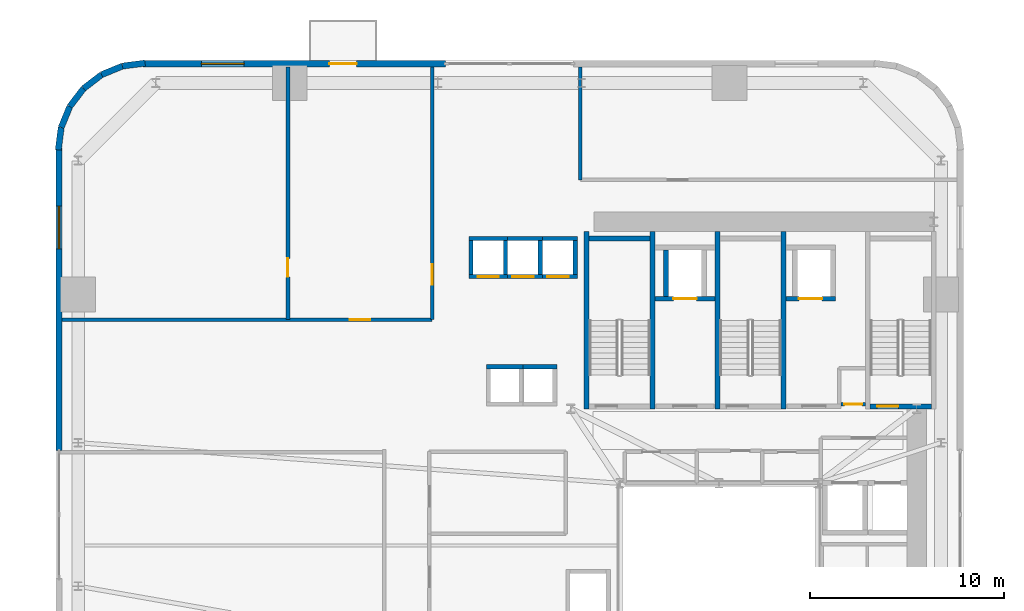
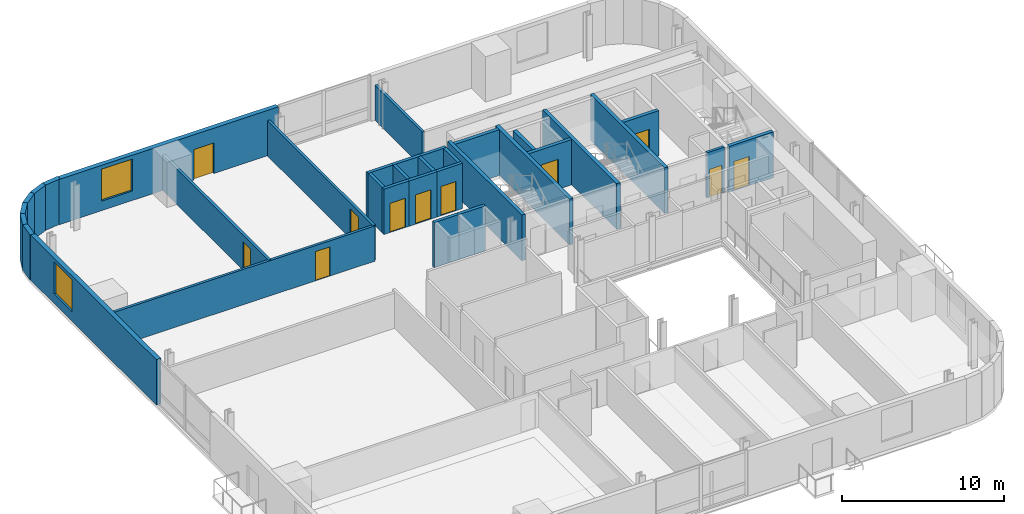
# One storey, part 8 of 13: 34 walls, 11 doors, 2 windows, 13 openings.
"""IFC4 building model written with IfcOpenShell, lengths in metres."""

from ifc_helpers import new_model, si_unit, direction, frame, frame_2d, origin, place, context, subcontext, project, spatial, rectangle, extrude, source, transform, mapped, material, layer, layer_set, type_object, element, fill, save


model = new_model("IFC4")

# Units and contexts
model_context = context("Model", 3, precision=1e-05, world=origin(), true_north=direction((0.0, 1.0)))
body_context = subcontext(model_context, "Body", "Model", "MODEL_VIEW")
ifc_project = project(units=[si_unit("LENGTHUNIT", "METRE"), si_unit("AREAUNIT", "SQUARE_METRE"), si_unit("VOLUMEUNIT", "CUBIC_METRE"), si_unit("PLANEANGLEUNIT", "RADIAN"), si_unit("MASSUNIT", "GRAM", prefix="KILO")], contexts=[model_context])

# Site, building, storey
site_placement = place(None, origin())
site = spatial("IfcSite", under=ifc_project, at=site_placement, CompositionType="ELEMENT")
building_placement = place(site_placement, origin())
building = spatial("IfcBuilding", under=site, at=building_placement, Name="Vardaveli Station Tower", CompositionType="ELEMENT")
storey_placement = place(building_placement, frame((0.0, 0.0, 45.85009765625)))
storey = spatial("IfcBuildingStorey", under=building, at=storey_placement, Name="L11", CompositionType="ELEMENT", Elevation=45.85009765625)

# Wall, openings, door, window
ifc_material_1 = material(Name="Precast concrete C45/55", Category="concrete")
ifc_layer_1 = layer(ifc_material_1, 0.320068359375, Name="Precast concrete C45/55")
ifc_layer_set_1 = layer_set([ifc_layer_1], Name="Precast concrete C45/55")
wall_type_1 = type_object("IfcWallType", Name="WAL-EXT-STONE-320", PredefinedType="SOLIDWALL", material=ifc_layer_set_1)
shared_shape_1 = source(origin(), body_context, "Body", "SweptSolid", [
    extrude(rectangle(XDim=15.599853515625, YDim=0.320068359375, at=frame_2d((7.7998046875, 0.0))), origin(), (0.0, 0.0, 1.0), 3.409912109375),
])
wall_1_placement = place(storey_placement, frame((22.199951171875, 48.43994140625, 0.0), z_axis=(0.0, 0.0, 1.0), x_axis=(-1.0, 0.0, 0.0)))
wall_1 = element("IfcWall", 1, at=wall_1_placement, inside=storey, type_object=wall_type_1, Name="EW-L11-N2", PredefinedType="SOLIDWALL", context=body_context, shape_type="MappedRepresentation", body=[
    mapped(shared_shape_1, transform((0.0, 0.0, 0.0), scale=1.0)),
])
shared_shape_2 = source(origin(), body_context, "Body", "SweptSolid", [
    extrude(rectangle(XDim=1.39990234375, YDim=2.300048828125, at=frame_2d((0.699951171875, 1.14990234375))), frame((0.0, 0.169921875, 0.0), z_axis=(0.0, -1.0, 0.0), x_axis=(1.0, 0.0, 0.0)), (0.0, 0.0, 1.0), 0.340087890625),
])
opening_1_placement = place(wall_1_placement, frame((4.589599609375, 0.0, 0.0)))
opening_1 = element("IfcOpeningElement", 2, at=opening_1_placement, cuts=wall_1, Name="Opening D-09", PredefinedType="OPENING", context=body_context, shape_type="MappedRepresentation", body=[
    mapped(shared_shape_2, transform((0.0, 0.0, 0.0), scale=1.0)),
])
shared_shape_3 = source(origin(), body_context, "Body", "SweptSolid", [
    extrude(rectangle(XDim=2.199951171875, YDim=2.39990234375, at=frame_2d((1.10009765625, 1.199951171875))), frame((0.0, 0.169921875, 0.0), z_axis=(0.0, -1.0, 0.0), x_axis=(1.0, 0.0, 0.0)), (0.0, 0.0, 1.0), 0.340087890625),
])
opening_2_placement = place(wall_1_placement, frame((10.39501953125, 0.0, 0.719970703125)))
opening_2 = element("IfcOpeningElement", 3, at=opening_2_placement, cuts=wall_1, Name="Opening W-03", PredefinedType="OPENING", context=body_context, shape_type="MappedRepresentation", body=[
    mapped(shared_shape_3, transform((0.0, 0.0, 0.0), scale=1.0)),
])
ifc_material_2 = material(Name="Thermally broken aluminium glass", Category="aluminium")
door_type_1 = type_object("IfcDoorType", Name="DR-LOG-1400x2300", OperationType="DOUBLE_DOOR_SLIDING", PredefinedType="DOOR", material=ifc_material_2)
shared_shape_4 = source(origin(), body_context, "Body", "SweptSolid", [
    extrude(rectangle(XDim=1.39990234375, YDim=2.300048828125, at=frame_2d((0.699951171875, 1.14990234375))), frame((0.0, 0.02490234375, 0.0), z_axis=(0.0, -1.0, 0.0), x_axis=(1.0, 0.0, 0.0)), (0.0, 0.0, 1.0), 0.050048828125),
])
door_1_placement = place(opening_1_placement, frame((1.39990234375, 0.0, 0.0), z_axis=(0.0, 0.0, 1.0), x_axis=(-1.0, 0.0, 0.0)))
door_1 = element("IfcDoor", 4, at=door_1_placement, inside=storey, type_object=door_type_1, Name="DLG-L11-N", OperationType="DOUBLE_DOOR_SLIDING", OverallHeight=2.300048828125, OverallWidth=1.39990234375, PredefinedType="DOOR", context=body_context, shape_type="MappedRepresentation", body=[
    mapped(shared_shape_4, transform((0.0, 0.0, 0.0), scale=1.0)),
])
fill(opening_1, door_1)
ifc_material_3 = material(Name="Low-E solar-control glass", Category="glass")
window_type = type_object("IfcWindowType", Name="WIN-LOG-2200x2400", PartitioningType="SINGLE_PANEL", PredefinedType="WINDOW", material=ifc_material_3)
shared_shape_5 = source(origin(), body_context, "Body", "SweptSolid", [
    extrude(rectangle(XDim=2.199951171875, YDim=2.39990234375, at=frame_2d((1.10009765625, 1.199951171875))), frame((0.0, 0.030029296875, 0.0), z_axis=(0.0, -1.0, 0.0), x_axis=(1.0, 0.0, 0.0)), (0.0, 0.0, 1.0), 0.06005859375),
])
window_1_placement = place(opening_2_placement, origin())
window_1 = element("IfcWindow", 5, at=window_1_placement, inside=storey, type_object=window_type, Name="WN-L11-N2", OverallHeight=2.39990234375, OverallWidth=2.199951171875, PartitioningType="SINGLE_PANEL", PredefinedType="WINDOW", context=body_context, shape_type="MappedRepresentation", body=[
    mapped(shared_shape_5, transform((0.0, 0.0, 0.0), scale=1.0)),
])
fill(opening_2, window_1)

# Wall, opening, window
shared_shape_6 = source(origin(), body_context, "Body", "SweptSolid", [
    extrude(rectangle(XDim=15.60009765625, YDim=0.320068359375, at=frame_2d((7.800048828125, 0.0))), origin(), (0.0, 0.0, 1.0), 3.409912109375),
])
wall_2_placement = place(storey_placement, frame((2.260009765625, 44.10009765625, 0.0), z_axis=(0.0, 0.0, 1.0), x_axis=(0.0, -1.0, 0.0)))
wall_2 = element("IfcWall", 6, at=wall_2_placement, inside=storey, type_object=wall_type_1, Name="EW-L11-W1", PredefinedType="SOLIDWALL", context=body_context, shape_type="MappedRepresentation", body=[
    mapped(shared_shape_6, transform((0.0, 0.0, 0.0), scale=1.0)),
])
opening_3_placement = place(wall_2_placement, frame((3.0048828125, 0.0, 0.719970703125)))
opening_3 = element("IfcOpeningElement", 7, at=opening_3_placement, cuts=wall_2, Name="Opening W-03", PredefinedType="OPENING", context=body_context, shape_type="MappedRepresentation", body=[
    mapped(shared_shape_3, transform((0.0, 0.0, 0.0), scale=1.0)),
])
window_2_placement = place(opening_3_placement, origin())
window_2 = element("IfcWindow", 8, at=window_2_placement, inside=storey, type_object=window_type, Name="WN-L11-W1", OverallHeight=2.39990234375, OverallWidth=2.199951171875, PartitioningType="SINGLE_PANEL", PredefinedType="WINDOW", context=body_context, shape_type="MappedRepresentation", body=[
    mapped(shared_shape_5, transform((0.0, 0.0, 0.0), scale=1.0)),
])
fill(opening_3, window_2)

# Walls
shared_shape_7 = source(origin(), body_context, "Body", "SweptSolid", [
    extrude(rectangle(XDim=1.1689453125, YDim=0.320068359375, at=frame_2d((0.58447265625, 0.0))), origin(), (0.0, 0.0, 1.0), 3.409912109375),
])
wall_3_placement = place(storey_placement, frame((3.53125, 47.1689453125, 0.0), z_axis=(0.0, 0.0, 1.0), x_axis=(-0.608387696831, -0.793639975269, 0.0)))
element("IfcWall", 9, at=wall_3_placement, inside=storey, type_object=wall_type_1, Name="EW-L11-CR4-4", PredefinedType="SOLIDWALL", context=body_context, shape_type="MappedRepresentation", body=[
    mapped(shared_shape_7, transform((0.0, 0.0, 0.0), scale=1.0)),
])
shared_shape_8 = source(origin(), body_context, "Body", "SweptSolid", [
    extrude(rectangle(XDim=1.168701171875, YDim=0.320068359375, at=frame_2d((0.58447265625, 0.0))), origin(), (0.0, 0.0, 1.0), 3.409912109375),
])
wall_4_placement = place(storey_placement, frame((4.458740234375, 47.8798828125, 0.0), z_axis=(0.0, 0.0, 1.0), x_axis=(-0.793663520347, -0.608356981114, 0.0)))
element("IfcWall", 10, at=wall_4_placement, inside=storey, type_object=wall_type_1, Name="EW-L11-CR4-3", PredefinedType="SOLIDWALL", context=body_context, shape_type="MappedRepresentation", body=[
    mapped(shared_shape_8, transform((0.0, 0.0, 0.0), scale=1.0)),
])
shared_shape_9 = source(origin(), body_context, "Body", "SweptSolid", [
    extrude(rectangle(XDim=1.17041015625, YDim=0.320068359375, at=frame_2d((0.585205078125, 0.0))), origin(), (0.0, 0.0, 1.0), 3.409912109375),
])
for number, where, z_axis, x_axis, name in (
    (11, (6.700439453125, 48.4755859375, 0.0), (0.0, 0.0, 1.0), (-0.991735963317, -0.128295670475, 0.0), "EW-L11-CR4-1"),
    (12, (2.37451171875, 45.16015625, 0.0), (0.0, 0.0, 1.0), (-0.128295670475, -0.991735963317, 0.0), "EW-L11-CR4-6"),
):
    element("IfcWall", number, at=place(storey_placement, frame(where, z_axis=z_axis, x_axis=x_axis)), inside=storey, type_object=wall_type_1, Name=name, PredefinedType="SOLIDWALL", context=body_context, shape_type="MappedRepresentation", body=[
        mapped(shared_shape_9, transform((0.0, 0.0, 0.0), scale=1.0)),
    ])
shared_shape_10 = source(origin(), body_context, "Body", "SweptSolid", [
    extrude(rectangle(XDim=1.169189453125, YDim=0.320068359375, at=frame_2d((0.58447265625, 0.0))), origin(), (0.0, 0.0, 1.0), 3.409912109375),
])
for number, where, z_axis, x_axis, name in (
    (13, (5.539794921875, 48.325439453125, 0.0), (0.0, 0.0, 1.0), (-0.924552646638, -0.381054331552, 0.0), "EW-L11-CR4-2"),
    (14, (2.820068359375, 46.2412109375, 0.0), (0.0, 0.0, 1.0), (-0.381054331552, -0.924552646638, 0.0), "EW-L11-CR4-5"),
):
    element("IfcWall", number, at=place(storey_placement, frame(where, z_axis=z_axis, x_axis=x_axis)), inside=storey, type_object=wall_type_1, Name=name, PredefinedType="SOLIDWALL", context=body_context, shape_type="MappedRepresentation", body=[
        mapped(shared_shape_10, transform((0.0, 0.0, 0.0), scale=1.0)),
    ])
ifc_material_4 = material(Name="Concrete C40/50", Category="concrete")
ifc_layer_2 = layer(ifc_material_4, 0.25, Name="Concrete C40/50")
ifc_layer_set_2 = layer_set([ifc_layer_2], Name="Concrete C40/50")
wall_type_2 = type_object("IfcWallType", Name="WAL-SHAFT-250", PredefinedType="SOLIDWALL", material=ifc_layer_set_2)
shared_shape_11 = source(origin(), body_context, "Body", "SweptSolid", [
    extrude(rectangle(XDim=9.150146484375, YDim=0.25, at=frame_2d((4.5751953125, 0.0))), origin(), (0.0, 0.0, 1.0), 3.449951171875),
])
for number, where, z_axis, x_axis, name in (
    (15, (29.47509765625, 30.64990234375, 0.0), (0.0, 0.0, 1.0), (0.0, 1.0, 0.0), "W-L11-ST-1W"),
    (16, (32.875, 30.64990234375, 0.0), (0.0, 0.0, 1.0), (0.0, 1.0, 0.0), "W-L11-ST-1E"),
    (17, (36.22509765625, 30.64990234375, 0.0), (0.0, 0.0, 1.0), (0.0, 1.0, 0.0), "W-L11-ST-2W"),
    (18, (39.625, 30.64990234375, 0.0), (0.0, 0.0, 1.0), (0.0, 1.0, 0.0), "W-L11-ST-2E"),
):
    element("IfcWall", number, at=place(storey_placement, frame(where, z_axis=z_axis, x_axis=x_axis)), inside=storey, type_object=wall_type_2, Name=name, PredefinedType="SOLIDWALL", context=body_context, shape_type="MappedRepresentation", body=[
        mapped(shared_shape_11, transform((0.0, 0.0, 0.0), scale=1.0)),
    ])
shared_shape_12 = source(origin(), body_context, "Body", "SweptSolid", [
    extrude(rectangle(XDim=3.14990234375, YDim=0.25, at=frame_2d((1.574951171875, 0.0))), origin(), (0.0, 0.0, 1.0), 3.449951171875),
])
wall_5_placement = place(storey_placement, frame((29.60009765625, 39.425048828125, 0.0), z_axis=(0.0, 0.0, 1.0), x_axis=(1.0, 0.0, 0.0)))
element("IfcWall", 19, at=wall_5_placement, inside=storey, type_object=wall_type_2, Name="W-L11-ST-1N", PredefinedType="SOLIDWALL", context=body_context, shape_type="MappedRepresentation", body=[
    mapped(shared_shape_12, transform((0.0, 0.0, 0.0), scale=1.0)),
])

# Wall, opening, door
wall_6_placement = place(storey_placement, frame((44.10009765625, 30.77490234375, 0.0), z_axis=(0.0, 0.0, 1.0), x_axis=(1.0, 0.0, 0.0)))
wall_6 = element("IfcWall", 20, at=wall_6_placement, inside=storey, type_object=wall_type_2, Name="W-L11-ST-3S", PredefinedType="SOLIDWALL", context=body_context, shape_type="MappedRepresentation", body=[
    mapped(shared_shape_12, transform((0.0, 0.0, 0.0), scale=1.0)),
])
shared_shape_13 = source(origin(), body_context, "Body", "SweptSolid", [
    extrude(rectangle(XDim=1.10009765625, YDim=2.199951171875, at=frame_2d((0.550048828125, 1.10009765625))), frame((0.0, 0.135009765625, 0.0), z_axis=(0.0, -1.0, 0.0), x_axis=(1.0, 0.0, 0.0)), (0.0, 0.0, 1.0), 0.27001953125),
])
opening_4_placement = place(wall_6_placement, frame((0.35009765625, 0.0, 0.0)))
opening_4 = element("IfcOpeningElement", 21, at=opening_4_placement, cuts=wall_6, Name="Opening D-04", PredefinedType="OPENING", context=body_context, shape_type="MappedRepresentation", body=[
    mapped(shared_shape_13, transform((0.0, 0.0, 0.0), scale=1.0)),
])
ifc_material_5 = material(Name="Steel smokeproof fire doorset", Category="steel")
door_type_2 = type_object("IfcDoorType", Name="DR-ST-1100x2200", OperationType="NOTDEFINED", PredefinedType="DOOR", material=ifc_material_5)
shared_shape_14 = source(origin(), body_context, "Body", "SweptSolid", [
    extrude(rectangle(XDim=1.10009765625, YDim=2.199951171875, at=frame_2d((0.550048828125, 1.10009765625))), frame((0.0, 0.02490234375, 0.0), z_axis=(0.0, -1.0, 0.0), x_axis=(1.0, 0.0, 0.0)), (0.0, 0.0, 1.0), 0.050048828125),
])
door_2_placement = place(opening_4_placement, origin())
door_2 = element("IfcDoor", 22, at=door_2_placement, inside=storey, type_object=door_type_2, Name="DST-3-L11", OperationType="SINGLE_SWING_LEFT", OverallHeight=2.199951171875, OverallWidth=1.10009765625, PredefinedType="DOOR", context=body_context, shape_type="MappedRepresentation", body=[
    mapped(shared_shape_14, transform((0.0, 0.0, 0.0), scale=1.0)),
])
fill(opening_4, door_2)

# Walls
ifc_layer_3 = layer(ifc_material_4, 0.219970703125, Name="Concrete C40/50")
ifc_layer_set_3 = layer_set([ifc_layer_3], Name="Concrete C40/50")
wall_type_3 = type_object("IfcWallType", Name="WAL-FFLOBBY-220", PredefinedType="SOLIDWALL", material=ifc_layer_set_3)
shared_shape_15 = source(origin(), body_context, "Body", "SweptSolid", [
    extrude(rectangle(XDim=1.75, YDim=0.219970703125, at=frame_2d((0.875, 0.0))), origin(), (0.0, 0.0, 1.0), 3.409912109375),
])
for number, where, z_axis, x_axis, name in (
    (23, (23.514892578125, 37.574951171875, 0.0), (0.0, 0.0, 1.0), (0.0, 1.0, 0.0), "SHW-HL1-01-L11-W"),
    (24, (25.284912109375, 37.574951171875, 0.0), (0.0, 0.0, 1.0), (0.0, 1.0, 0.0), "SHW-HL1-01-L11-E"),
    (25, (27.0849609375, 37.574951171875, 0.0), (0.0, 0.0, 1.0), (0.0, 1.0, 0.0), "SHW-HL1-02-L11-E"),
    (26, (28.885009765625, 37.574951171875, 0.0), (0.0, 0.0, 1.0), (0.0, 1.0, 0.0), "SHW-HL1-03-L11-E"),
):
    element("IfcWall", number, at=place(storey_placement, frame(where, z_axis=z_axis, x_axis=x_axis)), inside=storey, type_object=wall_type_3, Name=name, PredefinedType="SOLIDWALL", context=body_context, shape_type="MappedRepresentation", body=[
        mapped(shared_shape_15, transform((0.0, 0.0, 0.0), scale=1.0)),
    ])

# Wall, opening, door
shared_shape_16 = source(origin(), body_context, "Body", "SweptSolid", [
    extrude(rectangle(XDim=1.989990234375, YDim=0.219970703125, at=frame_2d((0.9951171875, 0.0))), origin(), (0.0, 0.0, 1.0), 3.409912109375),
])
wall_7_placement = place(storey_placement, frame((23.405029296875, 37.465087890625, 0.0), z_axis=(0.0, 0.0, 1.0), x_axis=(1.0, 0.0, 0.0)))
wall_7 = element("IfcWall", 27, at=wall_7_placement, inside=storey, type_object=wall_type_3, Name="SHW-HL1-01-L11-S", PredefinedType="SOLIDWALL", context=body_context, shape_type="MappedRepresentation", body=[
    mapped(shared_shape_16, transform((0.0, 0.0, 0.0), scale=1.0)),
])
shared_shape_17 = source(origin(), body_context, "Body", "SweptSolid", [
    extrude(rectangle(XDim=1.10009765625, YDim=2.199951171875, at=frame_2d((0.550048828125, 1.10009765625))), frame((0.0, 0.1201171875, 0.0), z_axis=(0.0, -1.0, 0.0), x_axis=(1.0, 0.0, 0.0)), (0.0, 0.0, 1.0), 0.239990234375),
])
opening_5_placement = place(wall_7_placement, frame((0.445068359375, 0.0, 0.0)))
opening_5 = element("IfcOpeningElement", 28, at=opening_5_placement, cuts=wall_7, Name="Opening LD-01", PredefinedType="OPENING", context=body_context, shape_type="MappedRepresentation", body=[
    mapped(shared_shape_17, transform((0.0, 0.0, 0.0), scale=1.0)),
])
ifc_material_6 = material(Name="Brushed stainless steel", Category="steel")
door_type_3 = type_object("IfcDoorType", Name="DR-LD-1100x2200", OperationType="DOUBLE_DOOR_SLIDING", PredefinedType="DOOR", material=ifc_material_6)
door_3_placement = place(opening_5_placement, origin())
door_3 = element("IfcDoor", 29, at=door_3_placement, inside=storey, type_object=door_type_3, Name="LD-HL1-01-L11", OperationType="DOUBLE_DOOR_SLIDING", OverallHeight=2.199951171875, OverallWidth=1.10009765625, PredefinedType="DOOR", context=body_context, shape_type="MappedRepresentation", body=[
    mapped(shared_shape_14, transform((0.0, 0.0, 0.0), scale=1.0)),
])
fill(opening_5, door_3)

# Wall
wall_8_placement = place(storey_placement, frame((23.405029296875, 39.43505859375, 0.0), z_axis=(0.0, 0.0, 1.0), x_axis=(1.0, 0.0, 0.0)))
element("IfcWall", 30, at=wall_8_placement, inside=storey, type_object=wall_type_3, Name="SHW-HL1-01-L11-N", PredefinedType="SOLIDWALL", context=body_context, shape_type="MappedRepresentation", body=[
    mapped(shared_shape_16, transform((0.0, 0.0, 0.0), scale=1.0)),
])

# Wall, opening, door
wall_9_placement = place(storey_placement, frame((25.205078125, 37.465087890625, 0.0), z_axis=(0.0, 0.0, 1.0), x_axis=(1.0, 0.0, 0.0)))
wall_9 = element("IfcWall", 31, at=wall_9_placement, inside=storey, type_object=wall_type_3, Name="SHW-HL1-02-L11-S", PredefinedType="SOLIDWALL", context=body_context, shape_type="MappedRepresentation", body=[
    mapped(shared_shape_16, transform((0.0, 0.0, 0.0), scale=1.0)),
])
opening_6_placement = place(wall_9_placement, frame((0.445068359375, 0.0, 0.0)))
opening_6 = element("IfcOpeningElement", 32, at=opening_6_placement, cuts=wall_9, Name="Opening LD-01", PredefinedType="OPENING", context=body_context, shape_type="MappedRepresentation", body=[
    mapped(shared_shape_17, transform((0.0, 0.0, 0.0), scale=1.0)),
])
door_4_placement = place(opening_6_placement, origin())
door_4 = element("IfcDoor", 33, at=door_4_placement, inside=storey, type_object=door_type_3, Name="LD-HL1-02-L11", OperationType="DOUBLE_DOOR_SLIDING", OverallHeight=2.199951171875, OverallWidth=1.10009765625, PredefinedType="DOOR", context=body_context, shape_type="MappedRepresentation", body=[
    mapped(shared_shape_14, transform((0.0, 0.0, 0.0), scale=1.0)),
])
fill(opening_6, door_4)

# Wall
wall_10_placement = place(storey_placement, frame((25.205078125, 39.43505859375, 0.0), z_axis=(0.0, 0.0, 1.0), x_axis=(1.0, 0.0, 0.0)))
element("IfcWall", 34, at=wall_10_placement, inside=storey, type_object=wall_type_3, Name="SHW-HL1-02-L11-N", PredefinedType="SOLIDWALL", context=body_context, shape_type="MappedRepresentation", body=[
    mapped(shared_shape_16, transform((0.0, 0.0, 0.0), scale=1.0)),
])

# Wall, opening, door
shared_shape_18 = source(origin(), body_context, "Body", "SweptSolid", [
    extrude(rectangle(XDim=1.990234375, YDim=0.219970703125, at=frame_2d((0.9951171875, 0.0))), origin(), (0.0, 0.0, 1.0), 3.409912109375),
])
wall_11_placement = place(storey_placement, frame((27.0048828125, 37.465087890625, 0.0), z_axis=(0.0, 0.0, 1.0), x_axis=(1.0, 0.0, 0.0)))
wall_11 = element("IfcWall", 35, at=wall_11_placement, inside=storey, type_object=wall_type_3, Name="SHW-HL1-03-L11-S", PredefinedType="SOLIDWALL", context=body_context, shape_type="MappedRepresentation", body=[
    mapped(shared_shape_18, transform((0.0, 0.0, 0.0), scale=1.0)),
])
opening_7_placement = place(wall_11_placement, frame((0.445068359375, 0.0, 0.0)))
opening_7 = element("IfcOpeningElement", 36, at=opening_7_placement, cuts=wall_11, Name="Opening LD-01", PredefinedType="OPENING", context=body_context, shape_type="MappedRepresentation", body=[
    mapped(shared_shape_17, transform((0.0, 0.0, 0.0), scale=1.0)),
])
door_5_placement = place(opening_7_placement, origin())
door_5 = element("IfcDoor", 37, at=door_5_placement, inside=storey, type_object=door_type_3, Name="LD-HL1-03-L11", OperationType="DOUBLE_DOOR_SLIDING", OverallHeight=2.199951171875, OverallWidth=1.10009765625, PredefinedType="DOOR", context=body_context, shape_type="MappedRepresentation", body=[
    mapped(shared_shape_14, transform((0.0, 0.0, 0.0), scale=1.0)),
])
fill(opening_7, door_5)

# Wall
wall_12_placement = place(storey_placement, frame((27.0048828125, 39.43505859375, 0.0), z_axis=(0.0, 0.0, 1.0), x_axis=(1.0, 0.0, 0.0)))
element("IfcWall", 38, at=wall_12_placement, inside=storey, type_object=wall_type_3, Name="SHW-HL1-03-L11-N", PredefinedType="SOLIDWALL", context=body_context, shape_type="MappedRepresentation", body=[
    mapped(shared_shape_18, transform((0.0, 0.0, 0.0), scale=1.0)),
])

# Wall, opening, door
shared_shape_19 = source(origin(), body_context, "Body", "SweptSolid", [
    extrude(rectangle(XDim=3.10009765625, YDim=0.25, at=frame_2d((1.550048828125, 0.0))), origin(), (0.0, 0.0, 1.0), 3.409912109375),
])
wall_13_placement = place(storey_placement, frame((33.0, 36.324951171875, 0.0), z_axis=(0.0, 0.0, 1.0), x_axis=(1.0, 0.0, 0.0)))
wall_13 = element("IfcWall", 39, at=wall_13_placement, inside=storey, type_object=wall_type_2, Name="SHW-FFL-01-L11-S", PredefinedType="SOLIDWALL", context=body_context, shape_type="MappedRepresentation", body=[
    mapped(shared_shape_19, transform((0.0, 0.0, 0.0), scale=1.0)),
])
shared_shape_20 = source(origin(), body_context, "Body", "SweptSolid", [
    extrude(rectangle(XDim=1.199951171875, YDim=2.25, at=frame_2d((0.60009765625, 1.125))), frame((0.0, 0.135009765625, 0.0), z_axis=(0.0, -1.0, 0.0), x_axis=(1.0, 0.0, 0.0)), (0.0, 0.0, 1.0), 0.27001953125),
])
opening_8_placement = place(wall_13_placement, frame((0.949951171875, 0.0, 0.0)))
opening_8 = element("IfcOpeningElement", 40, at=opening_8_placement, cuts=wall_13, Name="Opening LD-02", PredefinedType="OPENING", context=body_context, shape_type="MappedRepresentation", body=[
    mapped(shared_shape_20, transform((0.0, 0.0, 0.0), scale=1.0)),
])
door_type_4 = type_object("IfcDoorType", Name="DR-LD-1200x2250", OperationType="DOUBLE_DOOR_SLIDING", PredefinedType="DOOR", material=ifc_material_6)
shared_shape_21 = source(origin(), body_context, "Body", "SweptSolid", [
    extrude(rectangle(XDim=1.199951171875, YDim=2.25, at=frame_2d((0.60009765625, 1.125))), frame((0.0, 0.02490234375, 0.0), z_axis=(0.0, -1.0, 0.0), x_axis=(1.0, 0.0, 0.0)), (0.0, 0.0, 1.0), 0.050048828125),
])
door_6_placement = place(opening_8_placement, origin())
door_6 = element("IfcDoor", 41, at=door_6_placement, inside=storey, type_object=door_type_4, Name="LD-FFL-01-L11", OperationType="DOUBLE_DOOR_SLIDING", OverallHeight=2.25, OverallWidth=1.199951171875, PredefinedType="DOOR", context=body_context, shape_type="MappedRepresentation", body=[
    mapped(shared_shape_21, transform((0.0, 0.0, 0.0), scale=1.0)),
])
fill(opening_8, door_6)

# Wall
shared_shape_22 = source(origin(), body_context, "Body", "SweptSolid", [
    extrude(rectangle(XDim=2.400146484375, YDim=0.25, at=frame_2d((1.2001953125, 0.0))), origin(), (0.0, 0.0, 1.0), 3.409912109375),
])
wall_14_placement = place(storey_placement, frame((33.574951171875, 36.449951171875, 0.0), z_axis=(0.0, 0.0, 1.0), x_axis=(0.0, 1.0, 0.0)))
element("IfcWall", 42, at=wall_14_placement, inside=storey, type_object=wall_type_2, Name="SHW-FFL-01-L11-W", PredefinedType="SOLIDWALL", context=body_context, shape_type="MappedRepresentation", body=[
    mapped(shared_shape_22, transform((0.0, 0.0, 0.0), scale=1.0)),
])

# Wall, opening, door
shared_shape_23 = source(origin(), body_context, "Body", "SweptSolid", [
    extrude(rectangle(XDim=2.550048828125, YDim=0.25, at=frame_2d((1.27490234375, 0.0))), origin(), (0.0, 0.0, 1.0), 3.409912109375),
])
wall_15_placement = place(storey_placement, frame((39.75, 36.324951171875, 0.0), z_axis=(0.0, 0.0, 1.0), x_axis=(1.0, 0.0, 0.0)))
wall_15 = element("IfcWall", 43, at=wall_15_placement, inside=storey, type_object=wall_type_2, Name="SHW-FFL-02-L11-S", PredefinedType="SOLIDWALL", context=body_context, shape_type="MappedRepresentation", body=[
    mapped(shared_shape_23, transform((0.0, 0.0, 0.0), scale=1.0)),
])
opening_9_placement = place(wall_15_placement, frame((0.675048828125, 0.0, 0.0)))
opening_9 = element("IfcOpeningElement", 44, at=opening_9_placement, cuts=wall_15, Name="Opening LD-02", PredefinedType="OPENING", context=body_context, shape_type="MappedRepresentation", body=[
    mapped(shared_shape_20, transform((0.0, 0.0, 0.0), scale=1.0)),
])
door_7_placement = place(opening_9_placement, origin())
door_7 = element("IfcDoor", 45, at=door_7_placement, inside=storey, type_object=door_type_4, Name="LD-FFL-02-L11", OperationType="DOUBLE_DOOR_SLIDING", OverallHeight=2.25, OverallWidth=1.199951171875, PredefinedType="DOOR", context=body_context, shape_type="MappedRepresentation", body=[
    mapped(shared_shape_21, transform((0.0, 0.0, 0.0), scale=1.0)),
])
fill(opening_9, door_7)

# Walls
shared_shape_24 = source(origin(), body_context, "Body", "SweptSolid", [
    extrude(rectangle(XDim=1.89013671875, YDim=0.219970703125, at=frame_2d((0.945068359375, 0.0))), origin(), (0.0, 0.0, 1.0), 3.409912109375),
])
for number, where, z_axis, x_axis, name in (
    (46, (24.304931640625, 32.81005859375, 0.0), (0.0, 0.0, 1.0), (1.0, 0.0, 0.0), "SHW-SHU-01-L11-N"),
    (47, (26.054931640625, 32.81005859375, 0.0), (0.0, 0.0, 1.0), (1.0, 0.0, 0.0), "SHW-SHU-02-L11-N"),
):
    element("IfcWall", number, at=place(storey_placement, frame(where, z_axis=z_axis, x_axis=x_axis)), inside=storey, type_object=wall_type_3, Name=name, PredefinedType="SOLIDWALL", context=body_context, shape_type="MappedRepresentation", body=[
        mapped(shared_shape_24, transform((0.0, 0.0, 0.0), scale=1.0)),
    ])

# Wall, opening, door
ifc_material_7 = material(Name="Fire-rated gypsum stud partition")
ifc_layer_4 = layer(ifc_material_7, 0.179931640625, Name="Fire-rated gypsum stud partition")
ifc_layer_set_4 = layer_set([ifc_layer_4], Name="Fire-rated gypsum stud partition")
wall_type_4 = type_object("IfcWallType", Name="WAL-CORR-180", PredefinedType="PARTITIONING", material=ifc_layer_set_4)
shared_shape_25 = source(origin(), body_context, "Body", "SweptSolid", [
    extrude(rectangle(XDim=19.077880859375, YDim=0.179931640625, at=frame_2d((9.5390625, 0.0))), origin(), (0.0, 0.0, 1.0), 2.65185546875),
])
wall_16_placement = place(storey_placement, frame((2.422119140625, 35.25, 0.0), z_axis=(0.0, 0.0, 1.0), x_axis=(1.0, 0.0, 0.0)))
wall_16 = element("IfcWall", 48, at=wall_16_placement, inside=storey, type_object=wall_type_4, Name="W-L11-CNWS", PredefinedType="PARTITIONING", context=body_context, shape_type="MappedRepresentation", body=[
    mapped(shared_shape_25, transform((0.0, 0.0, 0.0), scale=1.0)),
])
shared_shape_26 = source(origin(), body_context, "Body", "SweptSolid", [
    extrude(rectangle(XDim=1.050048828125, YDim=2.199951171875, at=frame_2d((0.52490234375, 1.10009765625))), frame((0.0, 0.10009765625, 0.0), z_axis=(0.0, -1.0, 0.0), x_axis=(1.0, 0.0, 0.0)), (0.0, 0.0, 1.0), 0.199951171875),
])
opening_10_placement = place(wall_16_placement, frame((14.84326171875, 0.0, 0.0)))
opening_10 = element("IfcOpeningElement", 49, at=opening_10_placement, cuts=wall_16, Name="Opening D-05", PredefinedType="OPENING", context=body_context, shape_type="MappedRepresentation", body=[
    mapped(shared_shape_26, transform((0.0, 0.0, 0.0), scale=1.0)),
])
ifc_material_8 = material(Name="Walnut veneer acoustic fire door")
door_type_5 = type_object("IfcDoorType", Name="DR-SUITE-1050x2200", OperationType="NOTDEFINED", PredefinedType="DOOR", material=ifc_material_8)
shared_shape_27 = source(origin(), body_context, "Body", "SweptSolid", [
    extrude(rectangle(XDim=1.050048828125, YDim=2.199951171875, at=frame_2d((0.52490234375, 1.10009765625))), frame((0.0, 0.02490234375, 0.0), z_axis=(0.0, -1.0, 0.0), x_axis=(1.0, 0.0, 0.0)), (0.0, 0.0, 1.0), 0.050048828125),
])
door_8_placement = place(opening_10_placement, origin())
door_8 = element("IfcDoor", 50, at=door_8_placement, inside=storey, type_object=door_type_5, Name="D-L11-GNW2", OperationType="SINGLE_SWING_LEFT", OverallHeight=2.199951171875, OverallWidth=1.050048828125, PredefinedType="DOOR", context=body_context, shape_type="MappedRepresentation", body=[
    mapped(shared_shape_27, transform((0.0, 0.0, 0.0), scale=1.0)),
])
fill(opening_10, door_8)

shared_shape_28 = source(origin(), body_context, "Body", "SweptSolid", [
    extrude(rectangle(XDim=1.247802734375, YDim=0.179931640625, at=frame_2d((0.6240234375, 0.0))), origin(), (0.0, 0.0, 1.0), 3.409912109375),
])
wall_17_placement = place(storey_placement, frame((42.60009765625, 30.8798828125, 0.0), z_axis=(0.0, 0.0, 1.0), x_axis=(1.0, 0.0, 0.0)))
wall_17 = element("IfcWall", 51, at=wall_17_placement, inside=storey, type_object=wall_type_4, Name="W-L11-CBS2A-S", PredefinedType="PARTITIONING", context=body_context, shape_type="MappedRepresentation", body=[
    mapped(shared_shape_28, transform((0.0, 0.0, 0.0), scale=1.0)),
])
shared_shape_29 = source(origin(), body_context, "Body", "SweptSolid", [
    extrude(rectangle(XDim=0.919921875, YDim=2.10009765625, at=frame_2d((0.4599609375, 1.050048828125))), frame((0.0, 0.10009765625, 0.0), z_axis=(0.0, -1.0, 0.0), x_axis=(1.0, 0.0, 0.0)), (0.0, 0.0, 1.0), 0.199951171875),
])
opening_11_placement = place(wall_17_placement, frame((0.1640625, 0.0, 0.0)))
opening_11 = element("IfcOpeningElement", 52, at=opening_11_placement, cuts=wall_17, Name="Opening D-07", PredefinedType="OPENING", context=body_context, shape_type="MappedRepresentation", body=[
    mapped(shared_shape_29, transform((0.0, 0.0, 0.0), scale=1.0)),
])
ifc_material_9 = material(Name="Moisture-resistant hardwood door", Category="wood")
door_type_6 = type_object("IfcDoorType", Name="DR-WC-920x2100", OperationType="NOTDEFINED", PredefinedType="DOOR", material=ifc_material_9)
shared_shape_30 = source(origin(), body_context, "Body", "SweptSolid", [
    extrude(rectangle(XDim=0.919921875, YDim=2.10009765625, at=frame_2d((0.4599609375, 1.050048828125))), frame((0.0, 0.02490234375, 0.0), z_axis=(0.0, -1.0, 0.0), x_axis=(1.0, 0.0, 0.0)), (0.0, 0.0, 1.0), 0.050048828125),
])
door_9_placement = place(opening_11_placement, origin())
door_9 = element("IfcDoor", 53, at=door_9_placement, inside=storey, type_object=door_type_6, Name="D-L11-CBS1", OperationType="SINGLE_SWING_LEFT", OverallHeight=2.10009765625, OverallWidth=0.919921875, PredefinedType="DOOR", context=body_context, shape_type="MappedRepresentation", body=[
    mapped(shared_shape_30, transform((0.0, 0.0, 0.0), scale=1.0)),
])
fill(opening_11, door_9)

# Wall
shared_shape_31 = source(origin(), body_context, "Body", "SweptSolid", [
    extrude(rectangle(XDim=5.828125, YDim=0.179931640625, at=frame_2d((2.9140625, 0.0))), origin(), (0.0, 0.0, 1.0), 2.65185546875),
])
wall_18_placement = place(storey_placement, frame((29.14990234375, 42.449951171875, 0.0), z_axis=(0.0, 0.0, 1.0), x_axis=(0.0, 1.0, 0.0)))
element("IfcWall", 54, at=wall_18_placement, inside=storey, type_object=wall_type_4, Name="W-L11-NPW", PredefinedType="PARTITIONING", context=body_context, shape_type="MappedRepresentation", body=[
    mapped(shared_shape_31, transform((0.0, 0.0, 0.0), scale=1.0)),
])

# Wall, opening, door
ifc_material_10 = material(Name="Acoustic twin-stud gypsum partition")
ifc_layer_5 = layer(ifc_material_10, 0.199951171875, Name="Acoustic twin-stud gypsum partition")
ifc_layer_set_5 = layer_set([ifc_layer_5], Name="Acoustic twin-stud gypsum partition")
wall_type_5 = type_object("IfcWallType", Name="WAL-PARTY-200", PredefinedType="PARTITIONING", material=ifc_layer_set_5)
shared_shape_32 = source(origin(), body_context, "Body", "SweptSolid", [
    extrude(rectangle(XDim=13.028076171875, YDim=0.199951171875, at=frame_2d((6.51416015625, 0.0))), origin(), (0.0, 0.0, 1.0), 2.65185546875),
])
wall_19_placement = place(storey_placement, frame((14.070068359375, 35.25, 0.0), z_axis=(0.0, 0.0, 1.0), x_axis=(0.0, 1.0, 0.0)))
wall_19 = element("IfcWall", 55, at=wall_19_placement, inside=storey, type_object=wall_type_5, Name="W-L11-PNW1", PredefinedType="PARTITIONING", context=body_context, shape_type="MappedRepresentation", body=[
    mapped(shared_shape_32, transform((0.0, 0.0, 0.0), scale=1.0)),
])
shared_shape_33 = source(origin(), body_context, "Body", "SweptSolid", [
    extrude(rectangle(XDim=0.949951171875, YDim=2.14990234375, at=frame_2d((0.47509765625, 1.074951171875))), frame((0.0, 0.10986328125, 0.0), z_axis=(0.0, -1.0, 0.0), x_axis=(1.0, 0.0, 0.0)), (0.0, 0.0, 1.0), 0.219970703125),
])
opening_12_placement = place(wall_19_placement, frame((2.199951171875, 0.0, 0.0)))
opening_12 = element("IfcOpeningElement", 56, at=opening_12_placement, cuts=wall_19, Name="Opening D-11", PredefinedType="OPENING", context=body_context, shape_type="MappedRepresentation", body=[
    mapped(shared_shape_33, transform((0.0, 0.0, 0.0), scale=1.0)),
])
ifc_material_11 = material(Name="Oak veneer internal suite door")
door_type_7 = type_object("IfcDoorType", Name="DR-INT-950x2150", OperationType="NOTDEFINED", PredefinedType="DOOR", material=ifc_material_11)
shared_shape_34 = source(origin(), body_context, "Body", "SweptSolid", [
    extrude(rectangle(XDim=0.949951171875, YDim=2.14990234375, at=frame_2d((0.47509765625, 1.074951171875))), frame((0.0, 0.02490234375, 0.0), z_axis=(0.0, -1.0, 0.0), x_axis=(1.0, 0.0, 0.0)), (0.0, 0.0, 1.0), 0.050048828125),
])
door_10_placement = place(opening_12_placement, origin())
door_10 = element("IfcDoor", 57, at=door_10_placement, inside=storey, type_object=door_type_7, Name="D-L11-GNW1", OperationType="SINGLE_SWING_RIGHT", OverallHeight=2.14990234375, OverallWidth=0.949951171875, PredefinedType="DOOR", context=body_context, shape_type="MappedRepresentation", body=[
    mapped(shared_shape_34, transform((0.0, 0.0, 0.0), scale=1.0)),
])
fill(opening_12, door_10)

shared_shape_35 = source(origin(), body_context, "Body", "SweptSolid", [
    extrude(rectangle(XDim=13.028076171875, YDim=0.179931640625, at=frame_2d((6.51416015625, 0.0))), origin(), (0.0, 0.0, 1.0), 2.65185546875),
])
wall_20_placement = place(storey_placement, frame((21.5, 35.25, 0.0), z_axis=(0.0, 0.0, 1.0), x_axis=(0.0, 1.0, 0.0)))
wall_20 = element("IfcWall", 58, at=wall_20_placement, inside=storey, type_object=wall_type_4, Name="W-L11-CNWE", PredefinedType="PARTITIONING", context=body_context, shape_type="MappedRepresentation", body=[
    mapped(shared_shape_35, transform((0.0, 0.0, 0.0), scale=1.0)),
])
opening_13_placement = place(wall_20_placement, frame((1.800048828125, 0.0, 0.0)))
opening_13 = element("IfcOpeningElement", 59, at=opening_13_placement, cuts=wall_20, Name="Opening D-05", PredefinedType="OPENING", context=body_context, shape_type="MappedRepresentation", body=[
    mapped(shared_shape_26, transform((0.0, 0.0, 0.0), scale=1.0)),
])
door_11_placement = place(opening_13_placement, origin())
door_11 = element("IfcDoor", 60, at=door_11_placement, inside=storey, type_object=door_type_5, Name="D-L11-GNWE", OperationType="SINGLE_SWING_LEFT", OverallHeight=2.199951171875, OverallWidth=1.050048828125, PredefinedType="DOOR", context=body_context, shape_type="MappedRepresentation", body=[
    mapped(shared_shape_27, transform((0.0, 0.0, 0.0), scale=1.0)),
])
fill(opening_13, door_11)

save(model, "model.ifc")
